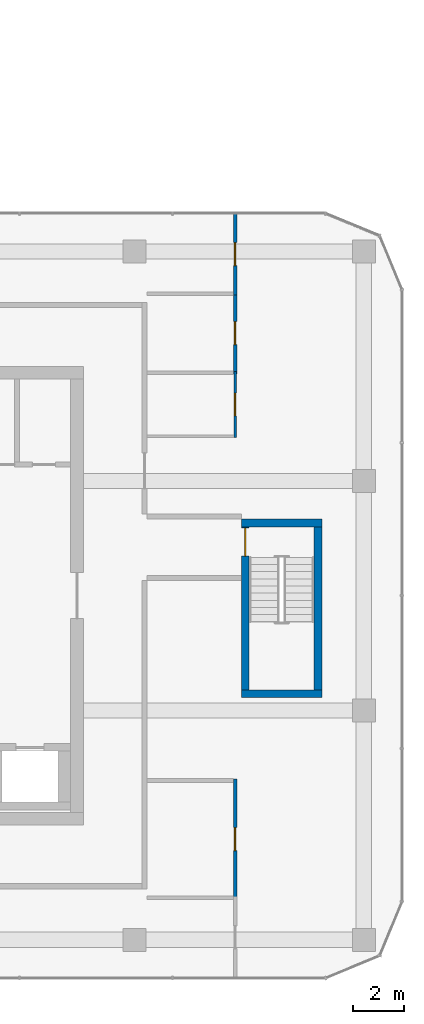
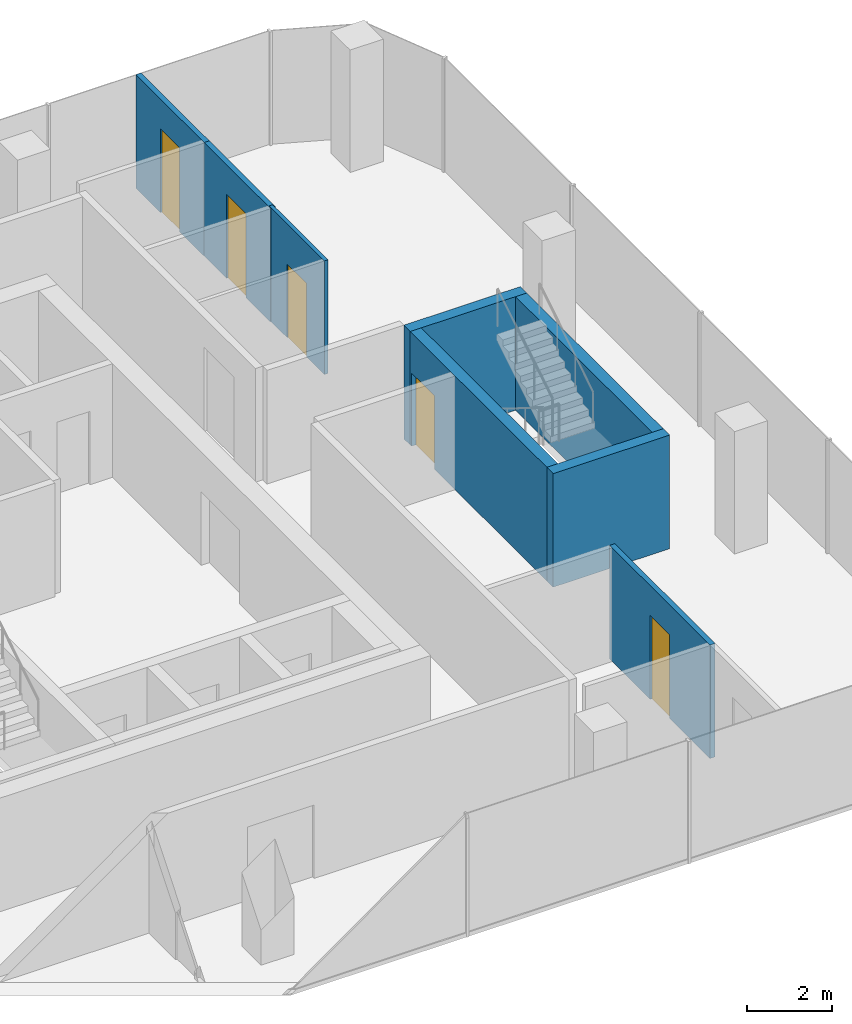
# One storey, part 20 of 24: 8 walls, 5 doors, 5 openings.
"""IFC4 building model written with IfcOpenShell, lengths in metres."""

from ifc_helpers import new_model, si_unit, direction, frame, frame_2d, origin, place, context, subcontext, project, spatial, rectangle, extrude, material, layer, layer_set, type_object, element, fill, save


model = new_model("IFC4")

# Units and contexts
model_context = context("Model", 3, precision=1e-05, world=origin(), true_north=direction((0.0, 1.0)))
body_context = subcontext(model_context, "Body", "Model", "MODEL_VIEW")
ifc_project = project(units=[si_unit("LENGTHUNIT", "METRE"), si_unit("AREAUNIT", "SQUARE_METRE"), si_unit("VOLUMEUNIT", "CUBIC_METRE"), si_unit("PLANEANGLEUNIT", "RADIAN"), si_unit("MASSUNIT", "GRAM", prefix="KILO")], contexts=[model_context])

# Site, building, storey
site_placement = place(None, origin())
site = spatial("IfcSite", under=ifc_project, at=site_placement, CompositionType="ELEMENT")
building_placement = place(site_placement, origin())
building = spatial("IfcBuilding", under=site, at=building_placement, Name="Plateau Cross Towers", CompositionType="ELEMENT")
storey_placement = place(building_placement, frame((0.0, 0.0, 44.300048828125)))
storey = spatial("IfcBuildingStorey", under=building, at=storey_placement, Name="L10", CompositionType="ELEMENT", Elevation=44.300048828125)

# Wall, opening, door
ifc_material_1 = material(Name="Concrete C60/75", Category="concrete")
ifc_layer_1 = layer(ifc_material_1, 0.300048828125)
ifc_layer_set_1 = layer_set([ifc_layer_1], Name="Concrete C60/75")
wall_type_1 = type_object("IfcWallType", Name="Core shaft wall 300", PredefinedType="SHEAR", material=ifc_layer_set_1)
wall_1_placement = place(storey_placement, frame((95.85009765625, 5.300048828125, 0.0), z_axis=(0.0, 0.0, 1.0), x_axis=(0.0, 1.0, 0.0)))
wall_1 = element("IfcWall", 1, at=wall_1_placement, inside=storey, type_object=wall_type_1, Name="B-sb3-W@L10", PredefinedType="SHEAR", context=body_context, shape_type="SweptSolid", body=[
    extrude(rectangle(XDim=6.39990234375, YDim=0.300048828125, at=frame_2d((3.199951171875, 0.0))), origin(), (0.0, 0.0, 1.0), 3.25),
])
opening_1_placement = place(wall_1_placement, frame((5.25, 0.0, 0.0)))
opening_1 = element("IfcOpeningElement", 2, at=opening_1_placement, cuts=wall_1, Name="Opening SD", PredefinedType="OPENING", context=body_context, shape_type="SweptSolid", body=[
    extrude(rectangle(XDim=1.10009765625, YDim=2.10009765625, at=frame_2d((0.550048828125, 1.050048828125))), frame((0.0, 0.159912109375, 0.0), z_axis=(0.0, -1.0, 0.0), x_axis=(1.0, 0.0, 0.0)), (0.0, 0.0, 1.0), 0.320068359375),
])
ifc_material_2 = material(Name="Steel, fire-resisting leaf", Category="steel")
door_type_1 = type_object("IfcDoorType", Name="Stair door 1100", OperationType="NOTDEFINED", PredefinedType="DOOR", material=ifc_material_2)
door_1_placement = place(opening_1_placement, origin())
door_1 = element("IfcDoor", 3, at=door_1_placement, inside=storey, type_object=door_type_1, Name="Stair door SD", OperationType="SINGLE_SWING_LEFT", OverallHeight=2.10009765625, OverallWidth=1.10009765625, PredefinedType="DOOR", context=body_context, shape_type="SweptSolid", body=[
    extrude(rectangle(XDim=1.10009765625, YDim=2.10009765625, at=frame_2d((0.550048828125, 1.050048828125))), frame((0.0, 0.02490234375, 0.0), z_axis=(0.0, -1.0, 0.0), x_axis=(1.0, 0.0, 0.0)), (0.0, 0.0, 1.0), 0.050048828125),
])
fill(opening_1, door_1)

# Walls
wall_2_placement = place(storey_placement, frame((98.699951171875, 5.300048828125, 0.0), z_axis=(0.0, 0.0, 1.0), x_axis=(0.0, 1.0, 0.0)))
element("IfcWall", 4, at=wall_2_placement, inside=storey, type_object=wall_type_1, Name="B-sb3-E@L10", PredefinedType="SHEAR", context=body_context, shape_type="SweptSolid", body=[
    extrude(rectangle(XDim=6.39990234375, YDim=0.300048828125, at=frame_2d((3.199951171875, 0.0))), origin(), (0.0, 0.0, 1.0), 3.25),
])
for number, where, z_axis, x_axis, name in (
    (5, (95.699951171875, 5.14990234375, 0.0), (0.0, 0.0, 1.0), (1.0, 0.0, 0.0), "B-sb3-S@L10"),
    (6, (95.699951171875, 11.85009765625, 0.0), (0.0, 0.0, 1.0), (1.0, 0.0, 0.0), "B-sb3-N@L10"),
):
    element("IfcWall", number, at=place(storey_placement, frame(where, z_axis=z_axis, x_axis=x_axis)), inside=storey, type_object=wall_type_1, Name=name, PredefinedType="SHEAR", context=body_context, shape_type="SweptSolid", body=[
        extrude(rectangle(XDim=3.150146484375, YDim=0.300048828125, at=frame_2d((1.5751953125, 0.0))), origin(), (0.0, 0.0, 1.0), 3.25),
    ])

# Wall, opening, door
ifc_material_3 = material(Name="Gypsum board on staggered steel studs, mineral wool, two layers each side", Category="steel")
ifc_layer_2 = layer(ifc_material_3, 0.139892578125)
ifc_layer_set_2 = layer_set([ifc_layer_2], Name="Gypsum board on staggered steel studs, mineral wool, two layers each side")
wall_type_2 = type_object("IfcWallType", Name="Meeting room acoustic partition 140", PredefinedType="PARTITIONING", material=ifc_layer_set_2)
wall_3_placement = place(storey_placement, frame((95.449951171875, -2.89990234375, 0.0), z_axis=(0.0, 0.0, 1.0), x_axis=(0.0, 1.0, 0.0)))
wall_3 = element("IfcWall", 7, at=wall_3_placement, inside=storey, type_object=wall_type_2, Name="Acoustic wall", PredefinedType="PARTITIONING", context=body_context, shape_type="SweptSolid", body=[
    extrude(rectangle(XDim=4.699951171875, YDim=0.139892578125, at=frame_2d((2.35009765625, 0.0))), origin(), (0.0, 0.0, 1.0), 3.25),
])
opening_2_placement = place(wall_3_placement, frame((1.89990234375, 0.0, 0.0)))
opening_2 = element("IfcOpeningElement", 8, at=opening_2_placement, cuts=wall_3, Name="Opening D-BM9", PredefinedType="OPENING", context=body_context, shape_type="SweptSolid", body=[
    extrude(rectangle(XDim=0.89990234375, YDim=2.39990234375, at=frame_2d((0.449951171875, 1.199951171875))), frame((0.0, 0.079833984375, 0.0), z_axis=(0.0, -1.0, 0.0), x_axis=(1.0, 0.0, 0.0)), (0.0, 0.0, 1.0), 0.159912109375),
])
ifc_material_4 = material(Name="Timber leaf, full height", Category="wood")
door_type_2 = type_object("IfcDoorType", Name="Meeting room door 900x2400", OperationType="NOTDEFINED", PredefinedType="DOOR", material=ifc_material_4)
door_2_placement = place(opening_2_placement, origin())
door_2 = element("IfcDoor", 9, at=door_2_placement, inside=storey, type_object=door_type_2, Name="Door D-BM9", OperationType="SINGLE_SWING_LEFT", OverallHeight=2.39990234375, OverallWidth=0.89990234375, PredefinedType="DOOR", context=body_context, shape_type="SweptSolid", body=[
    extrude(rectangle(XDim=0.89990234375, YDim=2.39990234375, at=frame_2d((0.449951171875, 1.199951171875))), frame((0.0, 0.02490234375, 0.0), z_axis=(0.0, -1.0, 0.0), x_axis=(1.0, 0.0, 0.0)), (0.0, 0.0, 1.0), 0.050048828125),
])
fill(opening_2, door_2)

wall_4_placement = place(storey_placement, frame((95.449951171875, 20.800048828125, 0.0), z_axis=(0.0, 0.0, 1.0), x_axis=(0.0, 1.0, 0.0)))
wall_4 = element("IfcWall", 10, at=wall_4_placement, inside=storey, type_object=wall_type_2, Name="Acoustic wall", PredefinedType="PARTITIONING", context=body_context, shape_type="SweptSolid", body=[
    extrude(rectangle(XDim=3.199951171875, YDim=0.139892578125, at=frame_2d((1.60009765625, 0.0))), origin(), (0.0, 0.0, 1.0), 3.25),
])
opening_3_placement = place(wall_4_placement, frame((1.14990234375, 0.0, 0.0)))
opening_3 = element("IfcOpeningElement", 11, at=opening_3_placement, cuts=wall_4, Name="Opening D-BM9", PredefinedType="OPENING", context=body_context, shape_type="SweptSolid", body=[
    extrude(rectangle(XDim=0.89990234375, YDim=2.39990234375, at=frame_2d((0.449951171875, 1.199951171875))), frame((0.0, 0.079833984375, 0.0), z_axis=(0.0, -1.0, 0.0), x_axis=(1.0, 0.0, 0.0)), (0.0, 0.0, 1.0), 0.159912109375),
])
door_3_placement = place(opening_3_placement, origin())
door_3 = element("IfcDoor", 12, at=door_3_placement, inside=storey, type_object=door_type_2, Name="Door D-BM9", OperationType="SINGLE_SWING_LEFT", OverallHeight=2.39990234375, OverallWidth=0.89990234375, PredefinedType="DOOR", context=body_context, shape_type="SweptSolid", body=[
    extrude(rectangle(XDim=0.89990234375, YDim=2.39990234375, at=frame_2d((0.449951171875, 1.199951171875))), frame((0.0, 0.02490234375, 0.0), z_axis=(0.0, -1.0, 0.0), x_axis=(1.0, 0.0, 0.0)), (0.0, 0.0, 1.0), 0.050048828125),
])
fill(opening_3, door_3)

wall_5_placement = place(storey_placement, frame((95.449951171875, 17.699951171875, 0.0), z_axis=(0.0, 0.0, 1.0), x_axis=(0.0, 1.0, 0.0)))
wall_5 = element("IfcWall", 13, at=wall_5_placement, inside=storey, type_object=wall_type_2, Name="Acoustic wall", PredefinedType="PARTITIONING", context=body_context, shape_type="SweptSolid", body=[
    extrude(rectangle(XDim=3.199951171875, YDim=0.139892578125, at=frame_2d((1.60009765625, 0.0))), origin(), (0.0, 0.0, 1.0), 3.25),
])
opening_4_placement = place(wall_5_placement, frame((1.14990234375, 0.0, 0.0)))
opening_4 = element("IfcOpeningElement", 14, at=opening_4_placement, cuts=wall_5, Name="Opening D-BM9", PredefinedType="OPENING", context=body_context, shape_type="SweptSolid", body=[
    extrude(rectangle(XDim=0.89990234375, YDim=2.39990234375, at=frame_2d((0.449951171875, 1.199951171875))), frame((0.0, 0.079833984375, 0.0), z_axis=(0.0, -1.0, 0.0), x_axis=(1.0, 0.0, 0.0)), (0.0, 0.0, 1.0), 0.159912109375),
])
door_4_placement = place(opening_4_placement, origin())
door_4 = element("IfcDoor", 15, at=door_4_placement, inside=storey, type_object=door_type_2, Name="Door D-BM9", OperationType="SINGLE_SWING_LEFT", OverallHeight=2.39990234375, OverallWidth=0.89990234375, PredefinedType="DOOR", context=body_context, shape_type="SweptSolid", body=[
    extrude(rectangle(XDim=0.89990234375, YDim=2.39990234375, at=frame_2d((0.449951171875, 1.199951171875))), frame((0.0, 0.02490234375, 0.0), z_axis=(0.0, -1.0, 0.0), x_axis=(1.0, 0.0, 0.0)), (0.0, 0.0, 1.0), 0.050048828125),
])
fill(opening_4, door_4)

ifc_material_5 = material(Name="Gypsum board on steel studs", Category="steel")
ifc_layer_3 = layer(ifc_material_5, 0.10009765625)
ifc_layer_set_3 = layer_set([ifc_layer_3], Name="Gypsum board on steel studs")
wall_type_3 = type_object("IfcWallType", Name="Office partition 100", PredefinedType="PARTITIONING", material=ifc_layer_set_3)
wall_6_placement = place(storey_placement, frame((95.449951171875, 15.199951171875, 0.0), z_axis=(0.0, 0.0, 1.0), x_axis=(0.0, 1.0, 0.0)))
wall_6 = element("IfcWall", 16, at=wall_6_placement, inside=storey, type_object=wall_type_3, Name="Part wall", PredefinedType="PARTITIONING", context=body_context, shape_type="SweptSolid", body=[
    extrude(rectangle(XDim=2.60009765625, YDim=0.10009765625, at=frame_2d((1.300048828125, 0.0))), origin(), (0.0, 0.0, 1.0), 3.25),
])
opening_5_placement = place(wall_6_placement, frame((0.85009765625, 0.0, 0.0)))
opening_5 = element("IfcOpeningElement", 17, at=opening_5_placement, cuts=wall_6, Name="Opening D-BR9", PredefinedType="OPENING", context=body_context, shape_type="SweptSolid", body=[
    extrude(rectangle(XDim=0.89990234375, YDim=2.10009765625, at=frame_2d((0.449951171875, 1.050048828125))), frame((0.0, 0.06005859375, 0.0), z_axis=(0.0, -1.0, 0.0), x_axis=(1.0, 0.0, 0.0)), (0.0, 0.0, 1.0), 0.1201171875),
])
ifc_material_6 = material(Name="Timber leaf", Category="wood")
door_type_3 = type_object("IfcDoorType", Name="Office room door 900", OperationType="NOTDEFINED", PredefinedType="DOOR", material=ifc_material_6)
door_5_placement = place(opening_5_placement, origin())
door_5 = element("IfcDoor", 18, at=door_5_placement, inside=storey, type_object=door_type_3, Name="Door D-BR9", OperationType="SINGLE_SWING_LEFT", OverallHeight=2.10009765625, OverallWidth=0.89990234375, PredefinedType="DOOR", context=body_context, shape_type="SweptSolid", body=[
    extrude(rectangle(XDim=0.89990234375, YDim=2.10009765625, at=frame_2d((0.449951171875, 1.050048828125))), frame((0.0, 0.02490234375, 0.0), z_axis=(0.0, -1.0, 0.0), x_axis=(1.0, 0.0, 0.0)), (0.0, 0.0, 1.0), 0.050048828125),
])
fill(opening_5, door_5)

save(model, "model.ifc")
